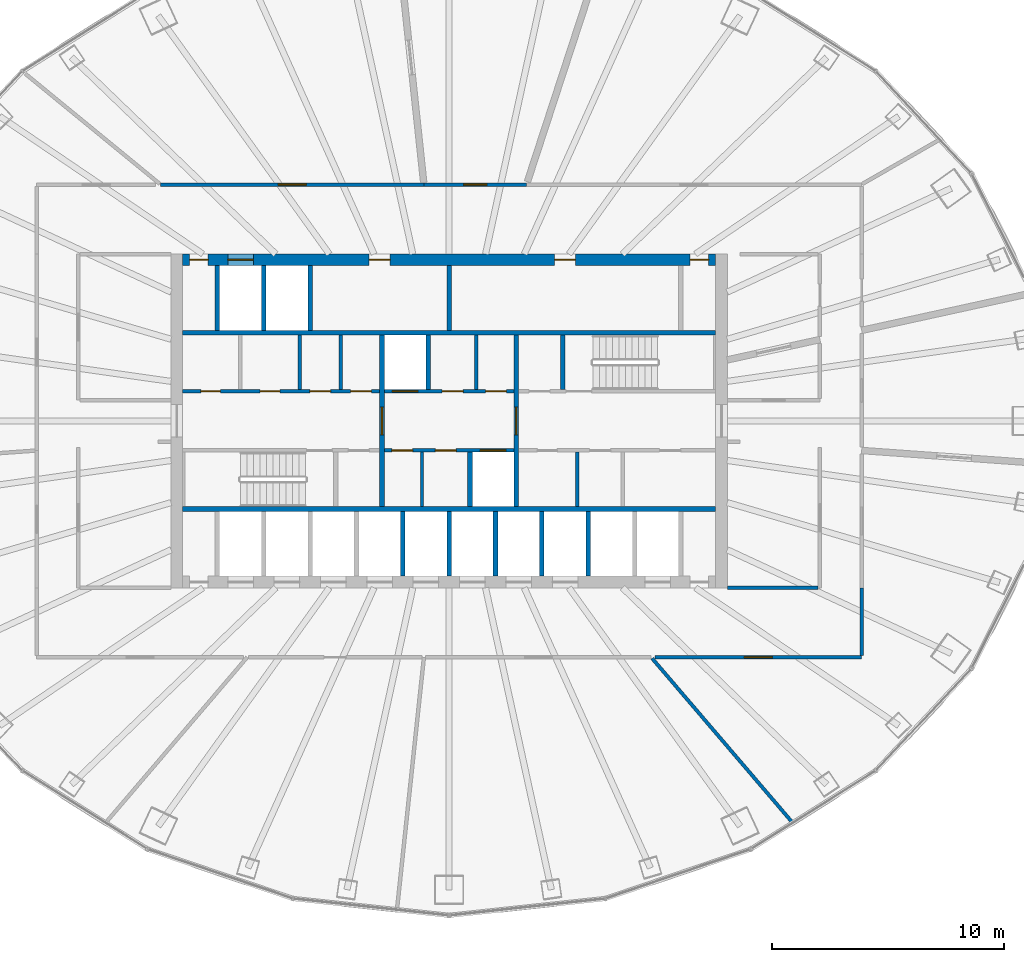
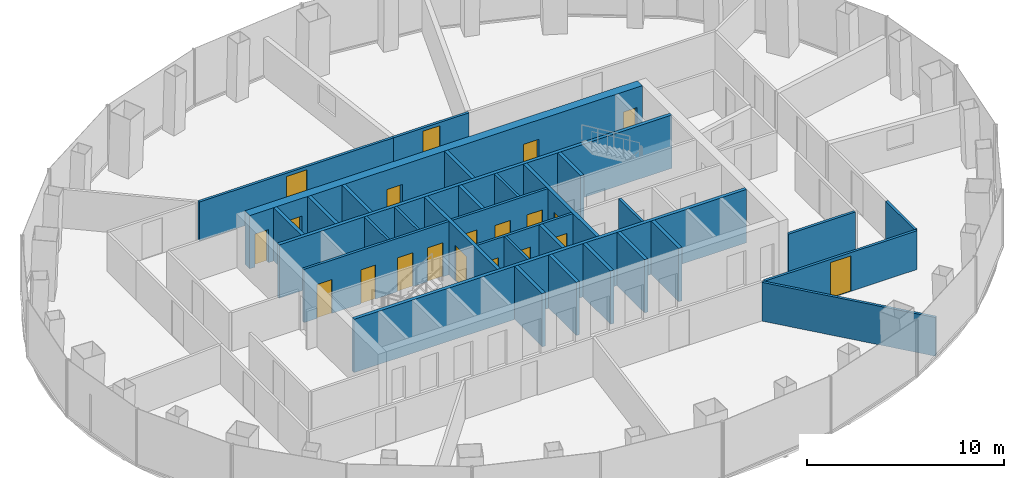
# One storey, part 9 of 12: 31 walls, 20 doors, 20 openings.
"""IFC4 building model written with IfcOpenShell, lengths in metres."""

import ifcopenshell
import ifcopenshell.guid

model = None  # the IFC model being written
_history = None  # IfcOwnerHistory: only IFC2X3 demands one
_inside = {}  # id of a spatial element -> (the spatial element, [elements in it])
_under = {}  # id of a project, library or spatial element -> (it, [spatial elements below it])
_declared = {}  # id of a project -> (the project, [libraries it declares])
_typed = {}  # id of a type object -> (the type object, [elements of that type])
_made_of = {}  # id of a material, layer set ... -> (it, [elements and type objects made of it])


def new_model(schema):
    """Start an empty IFC model of exactly this schema.

    Asked for "IFC4X3", IfcOpenShell would pick the latest addendum, in which some entities
    have other attributes; the version numbers below select the first issue.
    IFC2X3 requires an IfcOwnerHistory on every rooted entity: one is made here for all.
    """
    global model, _history
    if schema == "IFC4X3":
        model = ifcopenshell.file(schema_version=(4, 3, 0, 0))
    else:
        model = ifcopenshell.file(schema=schema)
    _inside.clear()
    _under.clear()
    _declared.clear()
    _typed.clear()
    _made_of.clear()
    _history = None
    if model.schema == "IFC2X3":
        org = make("IfcOrganization", Name="unknown")
        user = make(
            "IfcPersonAndOrganization",
            ThePerson=make("IfcPerson", FamilyName="unknown"),
            TheOrganization=org,
        )
        app = make(
            "IfcApplication",
            ApplicationDeveloper=org,
            Version="unknown",
            ApplicationFullName="unknown",
            ApplicationIdentifier="unknown",
        )
        _history = make(
            "IfcOwnerHistory",
            OwningUser=user,
            OwningApplication=app,
            ChangeAction="ADDED",
            CreationDate=0,
        )
    return model


def make(cls, **values):
    """One entity of the class cls with the attributes given. An attribute that is None is left unset."""
    return model.create_entity(
        cls, **{name: value for name, value in values.items() if value is not None}
    )


def rooted(cls, **values):
    """An entity with a GlobalId (a new one), such as an element, a storey or a relation."""
    return make(cls, GlobalId=ifcopenshell.guid.new(), OwnerHistory=_history, **values)


def si_unit(unit_type, name, prefix=None):
    """IfcSIUnit, for example si_unit("LENGTHUNIT", "METRE", prefix="MILLI")."""
    return make("IfcSIUnit", UnitType=unit_type, Prefix=prefix, Name=name)


def assignment(units):
    """IfcUnitAssignment: the units of a project."""
    return None if units is None else make("IfcUnitAssignment", Units=units)


def point(xyz):
    """IfcCartesianPoint."""
    return None if xyz is None else make("IfcCartesianPoint", Coordinates=xyz)


def direction(xyz):
    """IfcDirection."""
    return None if xyz is None else make("IfcDirection", DirectionRatios=xyz)


def frame(location, z_axis=None, x_axis=None):
    """IfcAxis2Placement3D, a coordinate frame: its origin and axes. An axis left out is left unset."""
    return make(
        "IfcAxis2Placement3D",
        Location=point(location),
        Axis=direction(z_axis),
        RefDirection=direction(x_axis),
    )


def frame_2d(location, x_axis=None):
    """IfcAxis2Placement2D, a coordinate frame in the plane: its origin and x axis."""
    return make(
        "IfcAxis2Placement2D", Location=point(location), RefDirection=direction(x_axis)
    )


def origin():
    """The frame at (0, 0, 0) with its axes left unset."""
    return frame((0.0, 0.0, 0.0))


def place(relative_to, where):
    """IfcLocalPlacement: puts the frame where relative to a parent placement (None: the world)."""
    return make(
        "IfcLocalPlacement", PlacementRelTo=relative_to, RelativePlacement=where
    )


def context(
    kind, dimensions, precision=None, world=None, true_north=None, identifier=None
):
    """IfcGeometricRepresentationContext, for example the 3D "Model" context."""
    return make(
        "IfcGeometricRepresentationContext",
        ContextIdentifier=identifier,
        ContextType=kind,
        CoordinateSpaceDimension=dimensions,
        Precision=precision,
        WorldCoordinateSystem=world,
        TrueNorth=true_north,
    )


def subcontext(parent, identifier, kind, view, scale=None):
    """IfcGeometricRepresentationSubContext, for example "Body" below "Model"."""
    return make(
        "IfcGeometricRepresentationSubContext",
        ContextIdentifier=identifier,
        ContextType=kind,
        ParentContext=parent,
        TargetScale=scale,
        TargetView=view,
    )


def project(units=None, contexts=None):
    """IfcProject with its units and contexts."""
    return rooted(
        "IfcProject",
        Name="project",
        RepresentationContexts=contexts,
        UnitsInContext=assignment(units),
    )


def spatial(cls, under=None, at=None, **own):
    """A site, building, storey or space (cls), placed at a placement, below another one or the project."""
    s = rooted(cls, ObjectPlacement=at, **own)
    if under is not None:
        _under.setdefault(under.id(), (under, []))[1].append(s)
    return s


def profile(cls, at=None, kind="AREA", **sizes):
    """A parametric profile (cls). Its sizes go by their IFC names, for example OverallWidth=200.0."""
    return make(cls, ProfileType=kind, Position=at, **sizes)


def rectangle(**sizes):
    """IfcRectangleProfileDef."""
    return profile("IfcRectangleProfileDef", **sizes)


def extrude(swept, where, along, depth):
    """IfcExtrudedAreaSolid: the profile swept, set in the frame where, extruded along a direction by depth."""
    return make(
        "IfcExtrudedAreaSolid",
        SweptArea=swept,
        Position=where,
        ExtrudedDirection=direction(along),
        Depth=depth,
    )


def shape(context_of_items, identifier, shape_type, items):
    """IfcShapeRepresentation: the items that make up one representation, for example the "Body"."""
    return make(
        "IfcShapeRepresentation",
        ContextOfItems=context_of_items,
        RepresentationIdentifier=identifier,
        RepresentationType=shape_type,
        Items=items,
    )


def material(Name=None, Category=None):
    """IfcMaterial."""
    return make("IfcMaterial", Name=Name, Category=Category)


def layer(
    of_material, thickness, ventilated=None, Name=None, Category=None, Priority=None
):
    """IfcMaterialLayer: one layer of a wall or slab, of a material (None: an air gap)."""
    return make(
        "IfcMaterialLayer",
        Material=of_material,
        LayerThickness=thickness,
        IsVentilated=ventilated,
        Name=Name,
        Category=Category,
        Priority=Priority,
    )


def layer_set(layers, Name=None):
    """IfcMaterialLayerSet."""
    return make("IfcMaterialLayerSet", MaterialLayers=layers, LayerSetName=Name)


def made_of(thing, what):
    """Note that an element or type object is made of a material, layer set ...; save() writes the relation."""
    if what is not None:
        _made_of.setdefault(what.id(), (what, []))[1].append(thing)
    return thing


def type_object(cls, material=None, **own):
    """A type object (cls), such as IfcWallType, which elements share."""
    return made_of(rooted(cls, **own), material)


def element(
    cls,
    number,
    at=None,
    inside=None,
    cuts=None,
    type_object=None,
    material=None,
    context=None,
    identifier="Body",
    shape_type=None,
    held_by="IfcProductDefinitionShape",
    body=None,
    shapes=None,
    **own,
):
    """One element of the class cls, such as IfcWall. Its Tag is "e" and its number.

    at: its placement. inside: the storey or other place that contains it. cuts: it is an
    opening in that element (IfcRelVoidsElement). A single representation is given by context,
    identifier, shape_type and body (its items); several are given by shapes. held_by: the class
    of the entity that holds the representations. save() writes the other relations.
    """
    e = rooted(cls, Tag="e%d" % number, ObjectPlacement=at, **own)
    if body is not None:
        shapes = [shape(context, identifier, shape_type, body)]
    if shapes is not None:
        e.Representation = make(held_by, Representations=shapes)
    if inside is not None:
        _inside.setdefault(inside.id(), (inside, []))[1].append(e)
    if cuts is not None:
        rooted(
            "IfcRelVoidsElement", RelatingBuildingElement=cuts, RelatedOpeningElement=e
        )
    if type_object is not None:
        _typed.setdefault(type_object.id(), (type_object, []))[1].append(e)
    return made_of(e, material)


def fill(opening, filler):
    """IfcRelFillsElement: the door or window that sits in an opening."""
    return rooted(
        "IfcRelFillsElement",
        RelatingOpeningElement=opening,
        RelatedBuildingElement=filler,
    )


def aggregate(whole, parts):
    """IfcRelAggregates: a whole, such as a stair, and the parts it consists of."""
    return rooted("IfcRelAggregates", RelatingObject=whole, RelatedObjects=parts)


def save(model, path):
    """Write the relations noted so far, then the file.

    IfcRelAggregates (storeys below a building ...), IfcRelContainedInSpatialStructure (elements
    in a storey), IfcRelDefinesByType, IfcRelAssociatesMaterial and IfcRelDeclares: one each for
    every whole, place, type object, material and project.
    """
    for whole, parts in _under.values():
        aggregate(whole, parts)
    for where, things in _inside.values():
        rooted(
            "IfcRelContainedInSpatialStructure",
            RelatedElements=things,
            RelatingStructure=where,
        )
    for kind, things in _typed.values():
        rooted("IfcRelDefinesByType", RelatedObjects=things, RelatingType=kind)
    for what, things in _made_of.values():
        rooted("IfcRelAssociatesMaterial", RelatedObjects=things, RelatingMaterial=what)
    for by, libraries in _declared.values():
        rooted("IfcRelDeclares", RelatingContext=by, RelatedDefinitions=libraries)
    model.write(path)


model = new_model("IFC4")

# Units and contexts
model_context = context("Model", 3, precision=1e-05, world=origin(), true_north=direction((0.0, 1.0)))
body_context = subcontext(model_context, "Body", "Model", "MODEL_VIEW")
ifc_project = project(units=[si_unit("LENGTHUNIT", "METRE"), si_unit("AREAUNIT", "SQUARE_METRE"), si_unit("VOLUMEUNIT", "CUBIC_METRE"), si_unit("PLANEANGLEUNIT", "RADIAN"), si_unit("MASSUNIT", "GRAM", prefix="KILO")], contexts=[model_context])

# Site, building, storey
site_placement = place(None, origin())
site = spatial("IfcSite", under=ifc_project, at=site_placement, CompositionType="ELEMENT")
building_placement = place(site_placement, origin())
building = spatial("IfcBuilding", under=site, at=building_placement, Name="Siaravel Broadcast Tower", CompositionType="ELEMENT")
storey_placement = place(building_placement, frame((0.0, 0.0, 100.800048828125)))
storey = spatial("IfcBuildingStorey", under=building, at=storey_placement, Name="L23", CompositionType="ELEMENT", Elevation=100.800048828125)

# Walls
ifc_material_1 = material(Name="Concrete blockwork", Category="masonry")
ifc_layer_1 = layer(ifc_material_1, 0.14990234375)
ifc_layer_set_1 = layer_set([ifc_layer_1], Name="Concrete blockwork")
wall_type_1 = type_object("IfcWallType", Name="Core partition 150", PredefinedType="PARTITIONING", material=ifc_layer_set_1)
for number, where, z_axis, x_axis, name in (
    (1, (-6.445068359375, 1.35009765625, 0.0), (0.0, 0.0, 1.0), (0.0, 1.0, 0.0), "L23 core partition PNW1"),
    (2, (-4.68505859375, 1.35009765625, 0.0), (0.0, 0.0, 1.0), (0.0, 1.0, 0.0), "L23 core partition PNW2"),
    (3, (5.534912109375, -3.699951171875, 0.0), (0.0, 0.0, 1.0), (0.0, 1.0, 0.0), "L23 core partition PSE0"),
    (4, (1.172607421875, 1.35009765625, 0.0), (0.0, 0.0, 1.0), (0.0, 1.0, 0.0), "L23 core partition PNM0"),
    (5, (-1.172607421875, -3.699951171875, 0.0), (0.0, 0.0, 1.0), (0.0, 1.0, 0.0), "L23 core partition PSM0"),
):
    element("IfcWall", number, at=place(storey_placement, frame(where, z_axis=z_axis, x_axis=x_axis)), inside=storey, type_object=wall_type_1, Name=name, PredefinedType="PARTITIONING", context=body_context, shape_type="SweptSolid", body=[
        extrude(rectangle(XDim=2.349853515625, YDim=0.14990234375, at=frame_2d((1.1748046875, 0.0))), origin(), (0.0, 0.0, 1.0), 3.300048828125),
    ])
ifc_layer_2 = layer(ifc_material_1, 0.199951171875)
ifc_layer_set_2 = layer_set([ifc_layer_2], Name="Concrete blockwork")
wall_type_2 = type_object("IfcWallType", Name="Core partition 200", PredefinedType="PARTITIONING", material=ifc_layer_set_2)
wall_1_placement = place(storey_placement, frame((0.0, 3.89990234375, 0.0), z_axis=(0.0, 0.0, 1.0), x_axis=(0.0, 1.0, 0.0)))
element("IfcWall", 6, at=wall_1_placement, inside=storey, type_object=wall_type_2, Name="L23 core partition PFN2", PredefinedType="PARTITIONING", context=body_context, shape_type="SweptSolid", body=[
    extrude(rectangle(XDim=2.800048828125, YDim=0.199951171875, at=frame_2d((1.39990234375, 0.0))), origin(), (0.0, 0.0, 1.0), 3.300048828125),
])

# Wall, openings, doors
ifc_material_2 = material(Name="Concrete C60/75", Category="concrete")
ifc_layer_3 = layer(ifc_material_2, 0.5)
ifc_layer_set_3 = layer_set([ifc_layer_3], Name="Concrete C60/75")
wall_type_3 = type_object("IfcWallType", Name="Core wall 500", PredefinedType="SHEAR", material=ifc_layer_set_3)
wall_2_placement = place(storey_placement, frame((-11.5, 6.949951171875, 0.0), z_axis=(0.0, 0.0, 1.0), x_axis=(1.0, 0.0, 0.0)))
wall_2 = element("IfcWall", 7, at=wall_2_placement, inside=storey, type_object=wall_type_3, Name="L23 core wall ON", PredefinedType="SHEAR", context=body_context, shape_type="SweptSolid", body=[
    extrude(rectangle(XDim=23.0, YDim=0.5, at=frame_2d((11.5, 0.0))), origin(), (0.0, 0.0, 1.0), 3.300048828125),
])
opening_1_placement = place(wall_2_placement, frame((1.949951171875, 0.0, 0.0)))
opening_1 = element("IfcOpeningElement", 8, at=opening_1_placement, cuts=wall_2, Name="Opening LD-SV2-L23", PredefinedType="OPENING", context=body_context, shape_type="SweptSolid", body=[
    extrude(rectangle(XDim=1.10009765625, YDim=2.199951171875, at=frame_2d((0.550048828125, 1.10009765625))), frame((0.0, 0.260009765625, 0.0), z_axis=(0.0, -1.0, 0.0), x_axis=(1.0, 0.0, 0.0)), (0.0, 0.0, 1.0), 0.52001953125),
])
opening_2_placement = place(wall_2_placement, frame((8.050048828125, 0.0, 0.0)))
opening_2 = element("IfcOpeningElement", 9, at=opening_2_placement, cuts=wall_2, Name="Opening L23-DFN2", PredefinedType="OPENING", context=body_context, shape_type="SweptSolid", body=[
    extrude(rectangle(XDim=0.89990234375, YDim=2.10009765625, at=frame_2d((0.449951171875, 1.050048828125))), frame((0.0, 0.260009765625, 0.0), z_axis=(0.0, -1.0, 0.0), x_axis=(1.0, 0.0, 0.0)), (0.0, 0.0, 1.0), 0.52001953125),
])
opening_3_placement = place(wall_2_placement, frame((16.050048828125, 0.0, 0.0)))
opening_3 = element("IfcOpeningElement", 10, at=opening_3_placement, cuts=wall_2, Name="Opening L23-DFN5", PredefinedType="OPENING", context=body_context, shape_type="SweptSolid", body=[
    extrude(rectangle(XDim=0.89990234375, YDim=2.10009765625, at=frame_2d((0.449951171875, 1.050048828125))), frame((0.0, 0.260009765625, 0.0), z_axis=(0.0, -1.0, 0.0), x_axis=(1.0, 0.0, 0.0)), (0.0, 0.0, 1.0), 0.52001953125),
])
opening_4_placement = place(wall_2_placement, frame((0.300048828125, 0.0, 0.0)))
opening_4 = element("IfcOpeningElement", 11, at=opening_4_placement, cuts=wall_2, Name="Opening L23-DRNW", PredefinedType="OPENING", context=body_context, shape_type="SweptSolid", body=[
    extrude(rectangle(XDim=0.800048828125, YDim=2.050048828125, at=frame_2d((0.39990234375, 1.02490234375))), frame((0.0, 0.260009765625, 0.0), z_axis=(0.0, -1.0, 0.0), x_axis=(1.0, 0.0, 0.0)), (0.0, 0.0, 1.0), 0.52001953125),
])
opening_5_placement = place(wall_2_placement, frame((21.89990234375, 0.0, 0.0)))
opening_5 = element("IfcOpeningElement", 12, at=opening_5_placement, cuts=wall_2, Name="Opening L23-DRNE", PredefinedType="OPENING", context=body_context, shape_type="SweptSolid", body=[
    extrude(rectangle(XDim=0.800048828125, YDim=2.050048828125, at=frame_2d((0.39990234375, 1.02490234375))), frame((0.0, 0.260009765625, 0.0), z_axis=(0.0, -1.0, 0.0), x_axis=(1.0, 0.0, 0.0)), (0.0, 0.0, 1.0), 0.52001953125),
])
ifc_material_3 = material(Name="Timber veneer", Category="wood")
door_type_1 = type_object("IfcDoorType", Name="Core room door 900", OperationType="SINGLE_SWING_LEFT", PredefinedType="DOOR", material=ifc_material_3)
door_1_placement = place(opening_2_placement, origin())
door_1 = element("IfcDoor", 13, at=door_1_placement, inside=storey, type_object=door_type_1, Name="L23 door DFN2", OperationType="SINGLE_SWING_LEFT", OverallHeight=2.10009765625, OverallWidth=0.89990234375, PredefinedType="DOOR", context=body_context, shape_type="SweptSolid", body=[
    extrude(rectangle(XDim=0.89990234375, YDim=2.10009765625, at=frame_2d((0.449951171875, 1.050048828125))), frame((0.0, 0.02490234375, 0.0), z_axis=(0.0, -1.0, 0.0), x_axis=(1.0, 0.0, 0.0)), (0.0, 0.0, 1.0), 0.050048828125),
])
fill(opening_2, door_1)
door_2_placement = place(opening_3_placement, origin())
door_2 = element("IfcDoor", 14, at=door_2_placement, inside=storey, type_object=door_type_1, Name="L23 door DFN5", OperationType="SINGLE_SWING_LEFT", OverallHeight=2.10009765625, OverallWidth=0.89990234375, PredefinedType="DOOR", context=body_context, shape_type="SweptSolid", body=[
    extrude(rectangle(XDim=0.89990234375, YDim=2.10009765625, at=frame_2d((0.449951171875, 1.050048828125))), frame((0.0, 0.02490234375, 0.0), z_axis=(0.0, -1.0, 0.0), x_axis=(1.0, 0.0, 0.0)), (0.0, 0.0, 1.0), 0.050048828125),
])
fill(opening_3, door_2)
ifc_material_4 = material(Name="Steel", Category="steel")
door_type_2 = type_object("IfcDoorType", Name="Riser door 800", OperationType="SINGLE_SWING_LEFT", PredefinedType="DOOR", material=ifc_material_4)
door_3_placement = place(opening_4_placement, origin())
door_3 = element("IfcDoor", 15, at=door_3_placement, inside=storey, type_object=door_type_2, Name="L23 door DRNW", OperationType="SINGLE_SWING_LEFT", OverallHeight=2.050048828125, OverallWidth=0.800048828125, PredefinedType="DOOR", context=body_context, shape_type="SweptSolid", body=[
    extrude(rectangle(XDim=0.800048828125, YDim=2.050048828125, at=frame_2d((0.39990234375, 1.02490234375))), frame((0.0, 0.02490234375, 0.0), z_axis=(0.0, -1.0, 0.0), x_axis=(1.0, 0.0, 0.0)), (0.0, 0.0, 1.0), 0.050048828125),
])
fill(opening_4, door_3)
door_4_placement = place(opening_5_placement, origin())
door_4 = element("IfcDoor", 16, at=door_4_placement, inside=storey, type_object=door_type_2, Name="L23 door DRNE", OperationType="SINGLE_SWING_LEFT", OverallHeight=2.050048828125, OverallWidth=0.800048828125, PredefinedType="DOOR", context=body_context, shape_type="SweptSolid", body=[
    extrude(rectangle(XDim=0.800048828125, YDim=2.050048828125, at=frame_2d((0.39990234375, 1.02490234375))), frame((0.0, 0.02490234375, 0.0), z_axis=(0.0, -1.0, 0.0), x_axis=(1.0, 0.0, 0.0)), (0.0, 0.0, 1.0), 0.050048828125),
])
fill(opening_5, door_4)
ifc_material_5 = material(Name="Stainless steel 316L", Category="steel")
door_type_3 = type_object("IfcDoorType", Name="Service lift landing door 1100", OperationType="DOUBLE_DOOR_SLIDING", PredefinedType="DOOR", material=ifc_material_5)
door_5_placement = place(opening_1_placement, origin())
door_5 = element("IfcDoor", 17, at=door_5_placement, inside=storey, type_object=door_type_3, Name="Landing door SV2 L23", OperationType="DOUBLE_DOOR_SLIDING", OverallHeight=2.199951171875, OverallWidth=1.10009765625, PredefinedType="DOOR", context=body_context, shape_type="SweptSolid", body=[
    extrude(rectangle(XDim=1.10009765625, YDim=2.199951171875, at=frame_2d((0.550048828125, 1.10009765625))), frame((0.0, 0.02490234375, 0.0), z_axis=(0.0, -1.0, 0.0), x_axis=(1.0, 0.0, 0.0)), (0.0, 0.0, 1.0), 0.050048828125),
])
fill(opening_1, door_5)

ifc_material_6 = material(Name="Gypsum board partition", Category="gypsum")
ifc_layer_4 = layer(ifc_material_6, 0.14990234375)
ifc_layer_set_4 = layer_set([ifc_layer_4], Name="Gypsum board partition")
wall_type_4 = type_object("IfcWallType", Name="Corridor wall 150", PredefinedType="PARTITIONING", material=ifc_layer_set_4)
wall_3_placement = place(storey_placement, frame((-11.5, 1.27490234375, 0.0), z_axis=(0.0, 0.0, 1.0), x_axis=(1.0, 0.0, 0.0)))
wall_3 = element("IfcWall", 18, at=wall_3_placement, inside=storey, type_object=wall_type_4, Name="L23 core partition CNW", PredefinedType="PARTITIONING", context=body_context, shape_type="SweptSolid", body=[
    extrude(rectangle(XDim=8.5, YDim=0.14990234375, at=frame_2d((4.25, 0.0))), origin(), (0.0, 0.0, 1.0), 3.300048828125),
])
opening_6_placement = place(wall_3_placement, frame((0.782470703125, 0.0, 0.0)))
opening_6 = element("IfcOpeningElement", 19, at=opening_6_placement, cuts=wall_3, Name="Opening L23-DNW0", PredefinedType="OPENING", context=body_context, shape_type="SweptSolid", body=[
    extrude(rectangle(XDim=0.85009765625, YDim=2.10009765625, at=frame_2d((0.425048828125, 1.050048828125))), frame((0.0, 0.0849609375, 0.0), z_axis=(0.0, -1.0, 0.0), x_axis=(1.0, 0.0, 0.0)), (0.0, 0.0, 1.0), 0.169921875),
])
opening_7_placement = place(wall_3_placement, frame((3.347412109375, 0.0, 0.0)))
opening_7 = element("IfcOpeningElement", 20, at=opening_7_placement, cuts=wall_3, Name="Opening L23-DNW1", PredefinedType="OPENING", context=body_context, shape_type="SweptSolid", body=[
    extrude(rectangle(XDim=0.85009765625, YDim=2.10009765625, at=frame_2d((0.425048828125, 1.050048828125))), frame((0.0, 0.0849609375, 0.0), z_axis=(0.0, -1.0, 0.0), x_axis=(1.0, 0.0, 0.0)), (0.0, 0.0, 1.0), 0.169921875),
])
opening_8_placement = place(wall_3_placement, frame((5.485107421875, 0.0, 0.0)))
opening_8 = element("IfcOpeningElement", 21, at=opening_8_placement, cuts=wall_3, Name="Opening L23-DNW2", PredefinedType="OPENING", context=body_context, shape_type="SweptSolid", body=[
    extrude(rectangle(XDim=0.89990234375, YDim=2.10009765625, at=frame_2d((0.449951171875, 1.050048828125))), frame((0.0, 0.0849609375, 0.0), z_axis=(0.0, -1.0, 0.0), x_axis=(1.0, 0.0, 0.0)), (0.0, 0.0, 1.0), 0.169921875),
])
opening_9_placement = place(wall_3_placement, frame((7.2451171875, 0.0, 0.0)))
opening_9 = element("IfcOpeningElement", 22, at=opening_9_placement, cuts=wall_3, Name="Opening L23-DNW3", PredefinedType="OPENING", context=body_context, shape_type="SweptSolid", body=[
    extrude(rectangle(XDim=0.89990234375, YDim=2.10009765625, at=frame_2d((0.449951171875, 1.050048828125))), frame((0.0, 0.0849609375, 0.0), z_axis=(0.0, -1.0, 0.0), x_axis=(1.0, 0.0, 0.0)), (0.0, 0.0, 1.0), 0.169921875),
])
door_6_placement = place(opening_8_placement, origin())
door_6 = element("IfcDoor", 23, at=door_6_placement, inside=storey, type_object=door_type_1, Name="L23 door DNW2", OperationType="SINGLE_SWING_LEFT", OverallHeight=2.10009765625, OverallWidth=0.89990234375, PredefinedType="DOOR", context=body_context, shape_type="SweptSolid", body=[
    extrude(rectangle(XDim=0.89990234375, YDim=2.10009765625, at=frame_2d((0.449951171875, 1.050048828125))), frame((0.0, 0.02490234375, 0.0), z_axis=(0.0, -1.0, 0.0), x_axis=(1.0, 0.0, 0.0)), (0.0, 0.0, 1.0), 0.050048828125),
])
fill(opening_8, door_6)
door_7_placement = place(opening_9_placement, origin())
door_7 = element("IfcDoor", 24, at=door_7_placement, inside=storey, type_object=door_type_1, Name="L23 door DNW3", OperationType="SINGLE_SWING_LEFT", OverallHeight=2.10009765625, OverallWidth=0.89990234375, PredefinedType="DOOR", context=body_context, shape_type="SweptSolid", body=[
    extrude(rectangle(XDim=0.89990234375, YDim=2.10009765625, at=frame_2d((0.449951171875, 1.050048828125))), frame((0.0, 0.02490234375, 0.0), z_axis=(0.0, -1.0, 0.0), x_axis=(1.0, 0.0, 0.0)), (0.0, 0.0, 1.0), 0.050048828125),
])
fill(opening_9, door_7)
door_type_4 = type_object("IfcDoorType", Name="Core toilet door 850", OperationType="SINGLE_SWING_LEFT", PredefinedType="DOOR", material=ifc_material_3)
door_8_placement = place(opening_6_placement, origin())
door_8 = element("IfcDoor", 25, at=door_8_placement, inside=storey, type_object=door_type_4, Name="L23 door DNW0", OperationType="SINGLE_SWING_LEFT", OverallHeight=2.10009765625, OverallWidth=0.85009765625, PredefinedType="DOOR", context=body_context, shape_type="SweptSolid", body=[
    extrude(rectangle(XDim=0.85009765625, YDim=2.10009765625, at=frame_2d((0.425048828125, 1.050048828125))), frame((0.0, 0.02490234375, 0.0), z_axis=(0.0, -1.0, 0.0), x_axis=(1.0, 0.0, 0.0)), (0.0, 0.0, 1.0), 0.050048828125),
])
fill(opening_6, door_8)
door_9_placement = place(opening_7_placement, origin())
door_9 = element("IfcDoor", 26, at=door_9_placement, inside=storey, type_object=door_type_4, Name="L23 door DNW1", OperationType="SINGLE_SWING_LEFT", OverallHeight=2.10009765625, OverallWidth=0.85009765625, PredefinedType="DOOR", context=body_context, shape_type="SweptSolid", body=[
    extrude(rectangle(XDim=0.85009765625, YDim=2.10009765625, at=frame_2d((0.425048828125, 1.050048828125))), frame((0.0, 0.02490234375, 0.0), z_axis=(0.0, -1.0, 0.0), x_axis=(1.0, 0.0, 0.0)), (0.0, 0.0, 1.0), 0.050048828125),
])
fill(opening_7, door_9)

# Wall, opening, door
wall_4_placement = place(storey_placement, frame((-1.08935546875, 10.199951171875, 0.0), z_axis=(0.0, 0.0, 1.0), x_axis=(-1.0, 0.0, 0.0)))
wall_4 = element("IfcWall", 27, at=wall_4_placement, inside=storey, type_object=wall_type_4, Name="L23 partition 2", PredefinedType="PARTITIONING", context=body_context, shape_type="SweptSolid", body=[
    extrude(rectangle(XDim=11.363037109375, YDim=0.14990234375, at=frame_2d((5.681640625, 0.0))), origin(), (0.0, 0.0, 1.0), 2.39990234375),
])
opening_10_placement = place(wall_4_placement, frame((5.08154296875, 0.0, 0.0)))
opening_10 = element("IfcOpeningElement", 28, at=opening_10_placement, cuts=wall_4, Name="Opening L23-001", PredefinedType="OPENING", context=body_context, shape_type="SweptSolid", body=[
    extrude(rectangle(XDim=1.199951171875, YDim=2.199951171875, at=frame_2d((0.60009765625, 1.10009765625))), frame((0.0, 0.0849609375, 0.0), z_axis=(0.0, -1.0, 0.0), x_axis=(1.0, 0.0, 0.0)), (0.0, 0.0, 1.0), 0.169921875),
])
door_type_5 = type_object("IfcDoorType", Name="Office double door 1200", OperationType="DOUBLE_DOOR_SINGLE_SWING", PredefinedType="DOOR", material=ifc_material_3)
door_10_placement = place(opening_10_placement, origin())
door_10 = element("IfcDoor", 29, at=door_10_placement, inside=storey, type_object=door_type_5, Name="L23 door to Open plan production office", OperationType="DOUBLE_DOOR_SINGLE_SWING", OverallHeight=2.199951171875, OverallWidth=1.199951171875, PredefinedType="DOOR", context=body_context, shape_type="SweptSolid", body=[
    extrude(rectangle(XDim=1.199951171875, YDim=2.199951171875, at=frame_2d((0.60009765625, 1.10009765625))), frame((0.0, 0.02490234375, 0.0), z_axis=(0.0, -1.0, 0.0), x_axis=(1.0, 0.0, 0.0)), (0.0, 0.0, 1.0), 0.050048828125),
])
fill(opening_10, door_10)

wall_5_placement = place(storey_placement, frame((8.884033203125, -10.199951171875, 0.0), z_axis=(0.0, 0.0, 1.0), x_axis=(1.0, 0.0, 0.0)))
wall_5 = element("IfcWall", 30, at=wall_5_placement, inside=storey, type_object=wall_type_4, Name="L23 partition 10", PredefinedType="PARTITIONING", context=body_context, shape_type="SweptSolid", body=[
    extrude(rectangle(XDim=8.916015625, YDim=0.14990234375, at=frame_2d((4.4580078125, 0.0))), origin(), (0.0, 0.0, 1.0), 2.39990234375),
])
opening_11_placement = place(wall_5_placement, frame((3.85791015625, 0.0, 0.0)))
opening_11 = element("IfcOpeningElement", 31, at=opening_11_placement, cuts=wall_5, Name="Opening L23-011", PredefinedType="OPENING", context=body_context, shape_type="SweptSolid", body=[
    extrude(rectangle(XDim=1.199951171875, YDim=2.199951171875, at=frame_2d((0.60009765625, 1.10009765625))), frame((0.0, 0.0849609375, 0.0), z_axis=(0.0, -1.0, 0.0), x_axis=(1.0, 0.0, 0.0)), (0.0, 0.0, 1.0), 0.169921875),
])
door_11_placement = place(opening_11_placement, origin())
door_11 = element("IfcDoor", 32, at=door_11_placement, inside=storey, type_object=door_type_5, Name="L23 door to Open plan production office", OperationType="DOUBLE_DOOR_SINGLE_SWING", OverallHeight=2.199951171875, OverallWidth=1.199951171875, PredefinedType="DOOR", context=body_context, shape_type="SweptSolid", body=[
    extrude(rectangle(XDim=1.199951171875, YDim=2.199951171875, at=frame_2d((0.60009765625, 1.10009765625))), frame((0.0, 0.02490234375, 0.0), z_axis=(0.0, -1.0, 0.0), x_axis=(1.0, 0.0, 0.0)), (0.0, 0.0, 1.0), 0.050048828125),
])
fill(opening_11, door_11)

wall_6_placement = place(storey_placement, frame((3.335693359375, 10.199951171875, 0.0), z_axis=(0.0, 0.0, 1.0), x_axis=(-1.0, 0.0, 0.0)))
wall_6 = element("IfcWall", 33, at=wall_6_placement, inside=storey, type_object=wall_type_4, Name="L23 partition 24", PredefinedType="PARTITIONING", context=body_context, shape_type="SweptSolid", body=[
    extrude(rectangle(XDim=4.424072265625, YDim=0.14990234375, at=frame_2d((2.2119140625, 0.0))), origin(), (0.0, 0.0, 1.0), 2.39990234375),
])
opening_12_placement = place(wall_6_placement, frame((1.7119140625, 0.0, 0.0)))
opening_12 = element("IfcOpeningElement", 34, at=opening_12_placement, cuts=wall_6, Name="Opening L23-018", PredefinedType="OPENING", context=body_context, shape_type="SweptSolid", body=[
    extrude(rectangle(XDim=1.0, YDim=2.199951171875, at=frame_2d((0.5, 1.10009765625))), frame((0.0, 0.0849609375, 0.0), z_axis=(0.0, -1.0, 0.0), x_axis=(1.0, 0.0, 0.0)), (0.0, 0.0, 1.0), 0.169921875),
])
ifc_material_7 = material(Name="Acoustic timber and steel", Category="steel")
door_type_6 = type_object("IfcDoorType", Name="Acoustic door 1000", OperationType="SINGLE_SWING_LEFT", PredefinedType="DOOR", material=ifc_material_7)
door_12_placement = place(opening_12_placement, origin())
door_12 = element("IfcDoor", 35, at=door_12_placement, inside=storey, type_object=door_type_6, Name="L23 door to Viewing theatre", OperationType="SINGLE_SWING_RIGHT", OverallHeight=2.199951171875, OverallWidth=1.0, PredefinedType="DOOR", context=body_context, shape_type="SweptSolid", body=[
    extrude(rectangle(XDim=1.0, YDim=2.199951171875, at=frame_2d((0.5, 1.10009765625))), frame((0.0, 0.02490234375, 0.0), z_axis=(0.0, -1.0, 0.0), x_axis=(1.0, 0.0, 0.0)), (0.0, 0.0, 1.0), 0.050048828125),
])
fill(opening_12, door_12)

# Walls
wall_7_placement = place(storey_placement, frame((15.923095703125, -7.199951171875, 0.0), z_axis=(0.0, 0.0, 1.0), x_axis=(-1.0, 0.0, 0.0)))
element("IfcWall", 36, at=wall_7_placement, inside=storey, type_object=wall_type_4, Name="L23 partition 29", PredefinedType="PARTITIONING", context=body_context, shape_type="SweptSolid", body=[
    extrude(rectangle(XDim=3.923095703125, YDim=0.14990234375, at=frame_2d((1.96142578125, 0.0))), origin(), (0.0, 0.0, 1.0), 2.39990234375),
])
wall_8_placement = place(storey_placement, frame((17.800048828125, -10.123046875, 0.0), z_axis=(0.0, 0.0, 1.0), x_axis=(0.0, 1.0, 0.0)))
element("IfcWall", 37, at=wall_8_placement, inside=storey, type_object=wall_type_4, Name="L23 partition 38", PredefinedType="PARTITIONING", context=body_context, shape_type="SweptSolid", body=[
    extrude(rectangle(XDim=2.91015625, YDim=0.14990234375, at=frame_2d((1.455078125, 0.0))), origin(), (0.0, 0.0, 1.0), 2.39990234375),
])
ifc_layer_5 = layer(ifc_material_6, 0.14990234375)
ifc_layer_set_5 = layer_set([ifc_layer_5], Name="Gypsum board partition")
wall_type_5 = type_object("IfcWallType", Name="Room partition 150", PredefinedType="PARTITIONING", material=ifc_layer_set_5)
wall_9_placement = place(storey_placement, frame((14.828125, -17.34619140625, 0.0), z_axis=(0.0, 0.0, 1.0), x_axis=(-0.649770677, 0.760130296, 0.0)))
element("IfcWall", 38, at=wall_9_placement, inside=storey, type_object=wall_type_5, Name="L23 partition 7", PredefinedType="PARTITIONING", context=body_context, shape_type="SweptSolid", body=[
    extrude(rectangle(XDim=9.34228515625, YDim=0.14990234375, at=frame_2d((4.671142578125, 0.0))), origin(), (0.0, 0.0, 1.0), 2.39990234375),
])

# Wall, openings, doors
ifc_layer_6 = layer(ifc_material_2, 0.14990234375)
ifc_layer_set_6 = layer_set([ifc_layer_6], Name="Concrete C60/75")
wall_type_6 = type_object("IfcWallType", Name="Shaft wall 150", PredefinedType="SHEAR", material=ifc_layer_set_6)
wall_10_placement = place(storey_placement, frame((-2.800048828125, -1.27490234375, 0.0), z_axis=(0.0, 0.0, 1.0), x_axis=(1.0, 0.0, 0.0)))
wall_10 = element("IfcWall", 39, at=wall_10_placement, inside=storey, type_object=wall_type_6, Name="L23 core wall CSM", PredefinedType="SHEAR", context=body_context, shape_type="SweptSolid", body=[
    extrude(rectangle(XDim=5.60009765625, YDim=0.14990234375, at=frame_2d((2.800048828125, 0.0))), origin(), (0.0, 0.0, 1.0), 3.300048828125),
])
opening_13_placement = place(wall_10_placement, frame((4.14990234375, 0.0, 0.0)))
opening_13 = element("IfcOpeningElement", 40, at=opening_13_placement, cuts=wall_10, Name="Opening LD-FL2-L23", PredefinedType="OPENING", context=body_context, shape_type="SweptSolid", body=[
    extrude(rectangle(XDim=1.10009765625, YDim=2.199951171875, at=frame_2d((0.550048828125, 1.10009765625))), frame((0.0, 0.0849609375, 0.0), z_axis=(0.0, -1.0, 0.0), x_axis=(1.0, 0.0, 0.0)), (0.0, 0.0, 1.0), 0.169921875),
])
opening_14_placement = place(wall_10_placement, frame((0.326416015625, 0.0, 0.0)))
opening_14 = element("IfcOpeningElement", 41, at=opening_14_placement, cuts=wall_10, Name="Opening L23-DSM0", PredefinedType="OPENING", context=body_context, shape_type="SweptSolid", body=[
    extrude(rectangle(XDim=0.89990234375, YDim=2.10009765625, at=frame_2d((0.449951171875, 1.050048828125))), frame((0.0, 0.0849609375, 0.0), z_axis=(0.0, -1.0, 0.0), x_axis=(1.0, 0.0, 0.0)), (0.0, 0.0, 1.0), 0.169921875),
])
opening_15_placement = place(wall_10_placement, frame((2.201416015625, 0.0, 0.0)))
opening_15 = element("IfcOpeningElement", 42, at=opening_15_placement, cuts=wall_10, Name="Opening L23-DSM1", PredefinedType="OPENING", context=body_context, shape_type="SweptSolid", body=[
    extrude(rectangle(XDim=0.89990234375, YDim=2.10009765625, at=frame_2d((0.449951171875, 1.050048828125))), frame((0.0, 0.0849609375, 0.0), z_axis=(0.0, -1.0, 0.0), x_axis=(1.0, 0.0, 0.0)), (0.0, 0.0, 1.0), 0.169921875),
])
door_13_placement = place(opening_14_placement, origin())
door_13 = element("IfcDoor", 43, at=door_13_placement, inside=storey, type_object=door_type_1, Name="L23 door DSM0", OperationType="SINGLE_SWING_LEFT", OverallHeight=2.10009765625, OverallWidth=0.89990234375, PredefinedType="DOOR", context=body_context, shape_type="SweptSolid", body=[
    extrude(rectangle(XDim=0.89990234375, YDim=2.10009765625, at=frame_2d((0.449951171875, 1.050048828125))), frame((0.0, 0.02490234375, 0.0), z_axis=(0.0, -1.0, 0.0), x_axis=(1.0, 0.0, 0.0)), (0.0, 0.0, 1.0), 0.050048828125),
])
fill(opening_14, door_13)
door_14_placement = place(opening_15_placement, origin())
door_14 = element("IfcDoor", 44, at=door_14_placement, inside=storey, type_object=door_type_1, Name="L23 door DSM1", OperationType="SINGLE_SWING_LEFT", OverallHeight=2.10009765625, OverallWidth=0.89990234375, PredefinedType="DOOR", context=body_context, shape_type="SweptSolid", body=[
    extrude(rectangle(XDim=0.89990234375, YDim=2.10009765625, at=frame_2d((0.449951171875, 1.050048828125))), frame((0.0, 0.02490234375, 0.0), z_axis=(0.0, -1.0, 0.0), x_axis=(1.0, 0.0, 0.0)), (0.0, 0.0, 1.0), 0.050048828125),
])
fill(opening_15, door_14)
door_type_7 = type_object("IfcDoorType", Name="Firefighting lift landing door 1100", OperationType="DOUBLE_DOOR_SLIDING", PredefinedType="DOOR", material=ifc_material_5)
door_15_placement = place(opening_13_placement, origin())
door_15 = element("IfcDoor", 45, at=door_15_placement, inside=storey, type_object=door_type_7, Name="Landing door FL2 L23", OperationType="DOUBLE_DOOR_SLIDING", OverallHeight=2.199951171875, OverallWidth=1.10009765625, PredefinedType="DOOR", context=body_context, shape_type="SweptSolid", body=[
    extrude(rectangle(XDim=1.10009765625, YDim=2.199951171875, at=frame_2d((0.550048828125, 1.10009765625))), frame((0.0, 0.02490234375, 0.0), z_axis=(0.0, -1.0, 0.0), x_axis=(1.0, 0.0, 0.0)), (0.0, 0.0, 1.0), 0.050048828125),
])
fill(opening_13, door_15)

wall_11_placement = place(storey_placement, frame((-2.800048828125, 1.27490234375, 0.0), z_axis=(0.0, 0.0, 1.0), x_axis=(1.0, 0.0, 0.0)))
wall_11 = element("IfcWall", 46, at=wall_11_placement, inside=storey, type_object=wall_type_6, Name="L23 core wall CNM", PredefinedType="SHEAR", context=body_context, shape_type="SweptSolid", body=[
    extrude(rectangle(XDim=5.60009765625, YDim=0.14990234375, at=frame_2d((2.800048828125, 0.0))), origin(), (0.0, 0.0, 1.0), 3.300048828125),
])
opening_16_placement = place(wall_11_placement, frame((0.35009765625, 0.0, 0.0)))
opening_16 = element("IfcOpeningElement", 47, at=opening_16_placement, cuts=wall_11, Name="Opening LD-FL1-L23", PredefinedType="OPENING", context=body_context, shape_type="SweptSolid", body=[
    extrude(rectangle(XDim=1.10009765625, YDim=2.199951171875, at=frame_2d((0.550048828125, 1.10009765625))), frame((0.0, 0.0849609375, 0.0), z_axis=(0.0, -1.0, 0.0), x_axis=(1.0, 0.0, 0.0)), (0.0, 0.0, 1.0), 0.169921875),
])
opening_17_placement = place(wall_11_placement, frame((2.498779296875, 0.0, 0.0)))
opening_17 = element("IfcOpeningElement", 48, at=opening_17_placement, cuts=wall_11, Name="Opening L23-DNM0", PredefinedType="OPENING", context=body_context, shape_type="SweptSolid", body=[
    extrude(rectangle(XDim=0.89990234375, YDim=2.10009765625, at=frame_2d((0.449951171875, 1.050048828125))), frame((0.0, 0.0849609375, 0.0), z_axis=(0.0, -1.0, 0.0), x_axis=(1.0, 0.0, 0.0)), (0.0, 0.0, 1.0), 0.169921875),
])
opening_18_placement = place(wall_11_placement, frame((4.373779296875, 0.0, 0.0)))
opening_18 = element("IfcOpeningElement", 49, at=opening_18_placement, cuts=wall_11, Name="Opening L23-DNM1", PredefinedType="OPENING", context=body_context, shape_type="SweptSolid", body=[
    extrude(rectangle(XDim=0.89990234375, YDim=2.10009765625, at=frame_2d((0.449951171875, 1.050048828125))), frame((0.0, 0.0849609375, 0.0), z_axis=(0.0, -1.0, 0.0), x_axis=(1.0, 0.0, 0.0)), (0.0, 0.0, 1.0), 0.169921875),
])
door_16_placement = place(opening_17_placement, origin())
door_16 = element("IfcDoor", 50, at=door_16_placement, inside=storey, type_object=door_type_1, Name="L23 door DNM0", OperationType="SINGLE_SWING_LEFT", OverallHeight=2.10009765625, OverallWidth=0.89990234375, PredefinedType="DOOR", context=body_context, shape_type="SweptSolid", body=[
    extrude(rectangle(XDim=0.89990234375, YDim=2.10009765625, at=frame_2d((0.449951171875, 1.050048828125))), frame((0.0, 0.02490234375, 0.0), z_axis=(0.0, -1.0, 0.0), x_axis=(1.0, 0.0, 0.0)), (0.0, 0.0, 1.0), 0.050048828125),
])
fill(opening_17, door_16)
door_17_placement = place(opening_18_placement, origin())
door_17 = element("IfcDoor", 51, at=door_17_placement, inside=storey, type_object=door_type_1, Name="L23 door DNM1", OperationType="SINGLE_SWING_LEFT", OverallHeight=2.10009765625, OverallWidth=0.89990234375, PredefinedType="DOOR", context=body_context, shape_type="SweptSolid", body=[
    extrude(rectangle(XDim=0.89990234375, YDim=2.10009765625, at=frame_2d((0.449951171875, 1.050048828125))), frame((0.0, 0.02490234375, 0.0), z_axis=(0.0, -1.0, 0.0), x_axis=(1.0, 0.0, 0.0)), (0.0, 0.0, 1.0), 0.050048828125),
])
fill(opening_18, door_17)
door_18_placement = place(opening_16_placement, origin())
door_18 = element("IfcDoor", 52, at=door_18_placement, inside=storey, type_object=door_type_7, Name="Landing door FL1 L23", OperationType="DOUBLE_DOOR_SLIDING", OverallHeight=2.199951171875, OverallWidth=1.10009765625, PredefinedType="DOOR", context=body_context, shape_type="SweptSolid", body=[
    extrude(rectangle(XDim=1.10009765625, YDim=2.199951171875, at=frame_2d((0.550048828125, 1.10009765625))), frame((0.0, 0.02490234375, 0.0), z_axis=(0.0, -1.0, 0.0), x_axis=(1.0, 0.0, 0.0)), (0.0, 0.0, 1.0), 0.050048828125),
])
fill(opening_16, door_18)

# Walls
ifc_layer_7 = layer(ifc_material_2, 0.199951171875)
ifc_layer_set_7 = layer_set([ifc_layer_7], Name="Concrete C60/75")
wall_type_7 = type_object("IfcWallType", Name="Shaft wall 200", PredefinedType="SHEAR", material=ifc_layer_set_7)
for number, where, z_axis, x_axis, name in (
    (53, (-11.5, -3.800048828125, 0.0), (0.0, 0.0, 1.0), (1.0, 0.0, 0.0), "L23 core wall BS"),
    (54, (-11.5, 3.800048828125, 0.0), (0.0, 0.0, 1.0), (1.0, 0.0, 0.0), "L23 core wall BN"),
):
    element("IfcWall", number, at=place(storey_placement, frame(where, z_axis=z_axis, x_axis=x_axis)), inside=storey, type_object=wall_type_7, Name=name, PredefinedType="SHEAR", context=body_context, shape_type="SweptSolid", body=[
        extrude(rectangle(XDim=23.0, YDim=0.199951171875, at=frame_2d((11.5, 0.0))), origin(), (0.0, 0.0, 1.0), 3.300048828125),
    ])
for number, where, z_axis, x_axis, name in (
    (55, (-2.0, -6.699951171875, 0.0), (0.0, 0.0, 1.0), (0.0, 1.0, 0.0), "L23 core wall SWS4"),
    (56, (0.0, -6.699951171875, 0.0), (0.0, 0.0, 1.0), (0.0, 1.0, 0.0), "L23 core wall SWS5"),
    (57, (2.0, -6.699951171875, 0.0), (0.0, 0.0, 1.0), (0.0, 1.0, 0.0), "L23 core wall SWS6"),
    (58, (4.0, -6.699951171875, 0.0), (0.0, 0.0, 1.0), (0.0, 1.0, 0.0), "L23 core wall SWS7"),
    (59, (6.0, -6.699951171875, 0.0), (0.0, 0.0, 1.0), (0.0, 1.0, 0.0), "L23 core wall SWS8"),
    (60, (-10.0, 3.89990234375, 0.0), (0.0, 0.0, 1.0), (0.0, 1.0, 0.0), "L23 core wall SWN0"),
    (61, (-8.0, 3.89990234375, 0.0), (0.0, 0.0, 1.0), (0.0, 1.0, 0.0), "L23 core wall SWN1"),
    (62, (-6.0, 3.89990234375, 0.0), (0.0, 0.0, 1.0), (0.0, 1.0, 0.0), "L23 core wall SWN2"),
):
    element("IfcWall", number, at=place(storey_placement, frame(where, z_axis=z_axis, x_axis=x_axis)), inside=storey, type_object=wall_type_7, Name=name, PredefinedType="SHEAR", context=body_context, shape_type="SweptSolid", body=[
        extrude(rectangle(XDim=2.800048828125, YDim=0.199951171875, at=frame_2d((1.39990234375, 0.0))), origin(), (0.0, 0.0, 1.0), 3.300048828125),
    ])

# Wall, opening, door
wall_12_placement = place(storey_placement, frame((-2.89990234375, -3.699951171875, 0.0), z_axis=(0.0, 0.0, 1.0), x_axis=(0.0, 1.0, 0.0)))
wall_12 = element("IfcWall", 63, at=wall_12_placement, inside=storey, type_object=wall_type_7, Name="L23 core wall LW", PredefinedType="SHEAR", context=body_context, shape_type="SweptSolid", body=[
    extrude(rectangle(XDim=7.39990234375, YDim=0.199951171875, at=frame_2d((3.699951171875, 0.0))), origin(), (0.0, 0.0, 1.0), 3.300048828125),
])
opening_19_placement = place(wall_12_placement, frame((3.10009765625, 0.0, 0.0)))
opening_19 = element("IfcOpeningElement", 64, at=opening_19_placement, cuts=wall_12, Name="Opening L23-DL-W", PredefinedType="OPENING", context=body_context, shape_type="SweptSolid", body=[
    extrude(rectangle(XDim=1.199951171875, YDim=2.199951171875, at=frame_2d((0.60009765625, 1.10009765625))), frame((0.0, 0.10986328125, 0.0), z_axis=(0.0, -1.0, 0.0), x_axis=(1.0, 0.0, 0.0)), (0.0, 0.0, 1.0), 0.219970703125),
])
door_type_8 = type_object("IfcDoorType", Name="Firefighting lobby door 1200", OperationType="SINGLE_SWING_LEFT", PredefinedType="DOOR", material=ifc_material_4)
door_19_placement = place(opening_19_placement, origin())
door_19 = element("IfcDoor", 65, at=door_19_placement, inside=storey, type_object=door_type_8, Name="L23 door DL-W", OperationType="SINGLE_SWING_LEFT", OverallHeight=2.199951171875, OverallWidth=1.199951171875, PredefinedType="DOOR", context=body_context, shape_type="SweptSolid", body=[
    extrude(rectangle(XDim=1.199951171875, YDim=2.199951171875, at=frame_2d((0.60009765625, 1.10009765625))), frame((0.0, 0.02490234375, 0.0), z_axis=(0.0, -1.0, 0.0), x_axis=(1.0, 0.0, 0.0)), (0.0, 0.0, 1.0), 0.050048828125),
])
fill(opening_19, door_19)

wall_13_placement = place(storey_placement, frame((2.89990234375, -3.699951171875, 0.0), z_axis=(0.0, 0.0, 1.0), x_axis=(0.0, 1.0, 0.0)))
wall_13 = element("IfcWall", 66, at=wall_13_placement, inside=storey, type_object=wall_type_7, Name="L23 core wall LE", PredefinedType="SHEAR", context=body_context, shape_type="SweptSolid", body=[
    extrude(rectangle(XDim=7.39990234375, YDim=0.199951171875, at=frame_2d((3.699951171875, 0.0))), origin(), (0.0, 0.0, 1.0), 3.300048828125),
])
opening_20_placement = place(wall_13_placement, frame((3.10009765625, 0.0, 0.0)))
opening_20 = element("IfcOpeningElement", 67, at=opening_20_placement, cuts=wall_13, Name="Opening L23-DL-E", PredefinedType="OPENING", context=body_context, shape_type="SweptSolid", body=[
    extrude(rectangle(XDim=1.199951171875, YDim=2.199951171875, at=frame_2d((0.60009765625, 1.10009765625))), frame((0.0, 0.10986328125, 0.0), z_axis=(0.0, -1.0, 0.0), x_axis=(1.0, 0.0, 0.0)), (0.0, 0.0, 1.0), 0.219970703125),
])
door_20_placement = place(opening_20_placement, origin())
door_20 = element("IfcDoor", 68, at=door_20_placement, inside=storey, type_object=door_type_8, Name="L23 door DL-E", OperationType="SINGLE_SWING_LEFT", OverallHeight=2.199951171875, OverallWidth=1.199951171875, PredefinedType="DOOR", context=body_context, shape_type="SweptSolid", body=[
    extrude(rectangle(XDim=1.199951171875, YDim=2.199951171875, at=frame_2d((0.60009765625, 1.10009765625))), frame((0.0, 0.02490234375, 0.0), z_axis=(0.0, -1.0, 0.0), x_axis=(1.0, 0.0, 0.0)), (0.0, 0.0, 1.0), 0.050048828125),
])
fill(opening_20, door_20)

# Walls
for number, where, z_axis, x_axis, name in (
    (69, (-0.89990234375, 1.35009765625, 0.0), (0.0, 0.0, 1.0), (0.0, 1.0, 0.0), "L23 core wall FF1E"),
    (70, (0.89990234375, -3.699951171875, 0.0), (0.0, 0.0, 1.0), (0.0, 1.0, 0.0), "L23 core wall FF2W"),
    (71, (4.89990234375, 1.35009765625, 0.0), (0.0, 0.0, 1.0), (0.0, 1.0, 0.0), "L23 core wall ST2W"),
):
    element("IfcWall", number, at=place(storey_placement, frame(where, z_axis=z_axis, x_axis=x_axis)), inside=storey, type_object=wall_type_7, Name=name, PredefinedType="SHEAR", context=body_context, shape_type="SweptSolid", body=[
        extrude(rectangle(XDim=2.349853515625, YDim=0.199951171875, at=frame_2d((1.1748046875, 0.0))), origin(), (0.0, 0.0, 1.0), 3.300048828125),
    ])

save(model, "model.ifc")
